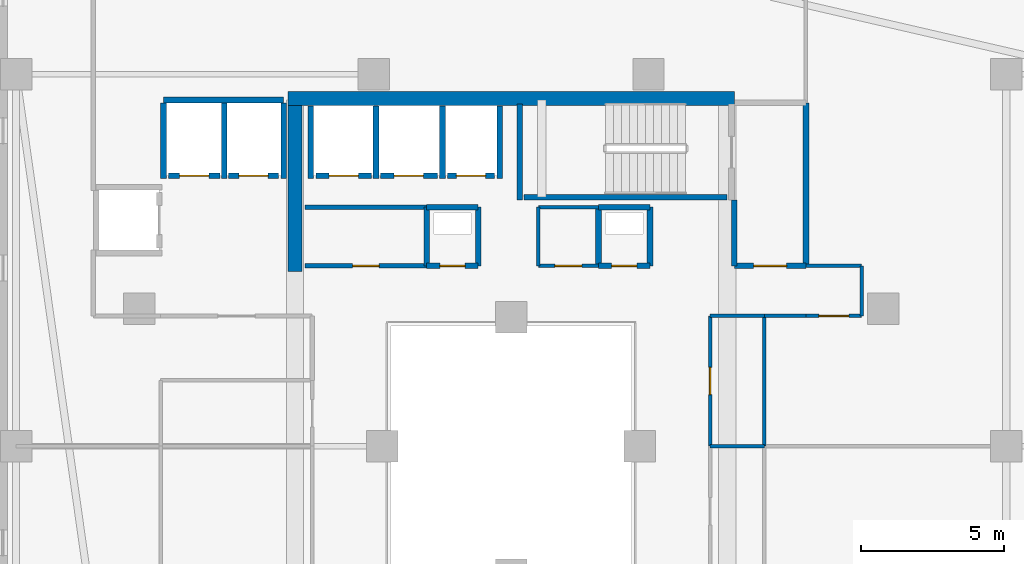
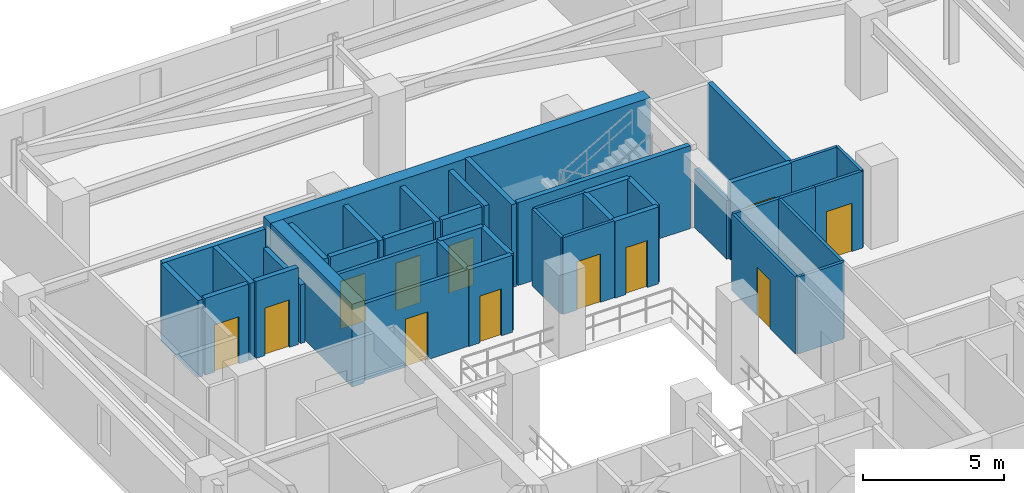
# One storey, part 21 of 33: 41 walls, 12 doors, 12 openings.
"""IFC4 building model written with IfcOpenShell, lengths in metres."""

from ifc_helpers import new_model, si_unit, direction, frame, frame_2d, origin, place, context, subcontext, project, spatial, rectangle, extrude, material, layer, layer_set, type_object, element, fill, save


model = new_model("IFC4")

# Units and contexts
model_context = context("Model", 3, precision=1e-05, world=origin(), true_north=direction((0.0, 1.0)))
body_context = subcontext(model_context, "Body", "Model", "MODEL_VIEW")
ifc_project = project(units=[si_unit("LENGTHUNIT", "METRE"), si_unit("AREAUNIT", "SQUARE_METRE"), si_unit("VOLUMEUNIT", "CUBIC_METRE"), si_unit("PLANEANGLEUNIT", "RADIAN"), si_unit("MASSUNIT", "GRAM", prefix="KILO")], contexts=[model_context])

# Site, building, storey
site_placement = place(None, origin())
site = spatial("IfcSite", under=ifc_project, at=site_placement, CompositionType="ELEMENT")
building_placement = place(site_placement, origin())
building = spatial("IfcBuilding", under=site, at=building_placement, Name="Thornwick Lancets Civic Towers", CompositionType="ELEMENT")
storey_placement = place(building_placement, frame((0.0, 0.0, 192.89990234375)))
storey = spatial("IfcBuildingStorey", under=building, at=storey_placement, Name="L51", CompositionType="ELEMENT", Elevation=192.89990234375)

# Wall, opening, door
ifc_material_1 = material(Name="Concrete blockwork C40/50", Category="masonry")
ifc_layer_1 = layer(ifc_material_1, 0.199951171875, Name="Concrete blockwork C40/50")
ifc_layer_set_1 = layer_set([ifc_layer_1], Name="Concrete blockwork C40/50")
wall_type_1 = type_object("IfcWallType", Name="WALL_COMP_200", PredefinedType="STANDARD", material=ifc_layer_set_1)
wall_1_placement = place(storey_placement, frame((24.919921875, 36.449951171875, 0.0), z_axis=(0.0, 0.0, 1.0), x_axis=(-1.0, 0.0, 0.0)))
wall_1 = element("IfcWall", 1, at=wall_1_placement, inside=storey, type_object=wall_type_1, Name="L51 Hoistway Front Wall FL-A2", PredefinedType="STANDARD", context=body_context, shape_type="SweptSolid", body=[
    extrude(rectangle(XDim=1.639892578125, YDim=0.199951171875, at=frame_2d((0.81982421875, 0.0))), origin(), (0.0, 0.0, 1.0), 3.340087890625),
])
opening_1_placement = place(wall_1_placement, frame((0.31005859375, 0.0, 0.0)))
opening_1 = element("IfcOpeningElement", 2, at=opening_1_placement, cuts=wall_1, Name="Opening LD-FL-A2", PredefinedType="OPENING", context=body_context, shape_type="SweptSolid", body=[
    extrude(rectangle(XDim=1.02001953125, YDim=2.06005859375, at=frame_2d((0.510009765625, 1.030029296875))), frame((0.0, 0.10986328125, 0.0), z_axis=(0.0, -1.0, 0.0), x_axis=(1.0, 0.0, 0.0)), (0.0, 0.0, 1.0), 0.219970703125),
])
ifc_material_2 = material(Name="Brushed bronze stainless steel", Category="steel")
door_type_1 = type_object("IfcDoorType", Name="DOOR_LIFT_SLIDE", OperationType="SLIDING_TO_LEFT", PredefinedType="DOOR", material=ifc_material_2)
door_1_placement = place(opening_1_placement, origin())
door_1 = element("IfcDoor", 3, at=door_1_placement, inside=storey, type_object=door_type_1, Name="L51 Sliding Lift Landing Door LD-FL-A2", OperationType="SLIDING_TO_LEFT", OverallHeight=2.06005859375, OverallWidth=1.02001953125, PredefinedType="DOOR", context=body_context, shape_type="SweptSolid", body=[
    extrude(rectangle(XDim=1.02001953125, YDim=2.06005859375, at=frame_2d((0.510009765625, 1.030029296875))), frame((0.0, 0.02490234375, 0.0), z_axis=(0.0, -1.0, 0.0), x_axis=(1.0, 0.0, 0.0)), (0.0, 0.0, 1.0), 0.050048828125),
])
fill(opening_1, door_1)

wall_2_placement = place(storey_placement, frame((22.919921875, 36.449951171875, 0.0), z_axis=(0.0, 0.0, 1.0), x_axis=(-1.0, 0.0, 0.0)))
wall_2 = element("IfcWall", 4, at=wall_2_placement, inside=storey, type_object=wall_type_1, Name="L51 Hoistway Front Wall PL-AH2", PredefinedType="STANDARD", context=body_context, shape_type="SweptSolid", body=[
    extrude(rectangle(XDim=1.989990234375, YDim=0.199951171875, at=frame_2d((0.9951171875, 0.0))), origin(), (0.0, 0.0, 1.0), 3.340087890625),
])
opening_2_placement = place(wall_2_placement, frame((0.485107421875, 0.0, 0.0)))
opening_2 = element("IfcOpeningElement", 5, at=opening_2_placement, cuts=wall_2, Name="Opening LD-PL-AH2", PredefinedType="OPENING", context=body_context, shape_type="SweptSolid", body=[
    extrude(rectangle(XDim=1.02001953125, YDim=2.06005859375, at=frame_2d((0.510009765625, 1.030029296875))), frame((0.0, 0.10986328125, 0.0), z_axis=(0.0, -1.0, 0.0), x_axis=(1.0, 0.0, 0.0)), (0.0, 0.0, 1.0), 0.219970703125),
])
door_2_placement = place(opening_2_placement, origin())
door_2 = element("IfcDoor", 6, at=door_2_placement, inside=storey, type_object=door_type_1, Name="L51 Sliding Lift Landing Door LD-PL-AH2", OperationType="SLIDING_TO_LEFT", OverallHeight=2.06005859375, OverallWidth=1.02001953125, PredefinedType="DOOR", context=body_context, shape_type="SweptSolid", body=[
    extrude(rectangle(XDim=1.02001953125, YDim=2.06005859375, at=frame_2d((0.510009765625, 1.030029296875))), frame((0.0, 0.02490234375, 0.0), z_axis=(0.0, -1.0, 0.0), x_axis=(1.0, 0.0, 0.0)), (0.0, 0.0, 1.0), 0.050048828125),
])
fill(opening_2, door_2)

wall_3_placement = place(storey_placement, frame((20.6201171875, 36.449951171875, 0.0), z_axis=(0.0, 0.0, 1.0), x_axis=(-1.0, 0.0, 0.0)))
wall_3 = element("IfcWall", 7, at=wall_3_placement, inside=storey, type_object=wall_type_1, Name="L51 Hoistway Front Wall PL-AH3", PredefinedType="STANDARD", context=body_context, shape_type="SweptSolid", body=[
    extrude(rectangle(XDim=1.940185546875, YDim=0.199951171875, at=frame_2d((0.97021484375, 0.0))), origin(), (0.0, 0.0, 1.0), 3.340087890625),
])
opening_3_placement = place(wall_3_placement, frame((0.4599609375, 0.0, 0.0)))
opening_3 = element("IfcOpeningElement", 8, at=opening_3_placement, cuts=wall_3, Name="Opening LD-PL-AH3", PredefinedType="OPENING", context=body_context, shape_type="SweptSolid", body=[
    extrude(rectangle(XDim=1.02001953125, YDim=2.06005859375, at=frame_2d((0.510009765625, 1.030029296875))), frame((0.0, 0.10986328125, 0.0), z_axis=(0.0, -1.0, 0.0), x_axis=(1.0, 0.0, 0.0)), (0.0, 0.0, 1.0), 0.219970703125),
])
door_3_placement = place(opening_3_placement, origin())
door_3 = element("IfcDoor", 9, at=door_3_placement, inside=storey, type_object=door_type_1, Name="L51 Sliding Lift Landing Door LD-PL-AH3", OperationType="SLIDING_TO_LEFT", OverallHeight=2.06005859375, OverallWidth=1.02001953125, PredefinedType="DOOR", context=body_context, shape_type="SweptSolid", body=[
    extrude(rectangle(XDim=1.02001953125, YDim=2.06005859375, at=frame_2d((0.510009765625, 1.030029296875))), frame((0.0, 0.02490234375, 0.0), z_axis=(0.0, -1.0, 0.0), x_axis=(1.0, 0.0, 0.0)), (0.0, 0.0, 1.0), 0.050048828125),
])
fill(opening_3, door_3)

wall_4_placement = place(storey_placement, frame((17.3701171875, 36.449951171875, 0.0), z_axis=(0.0, 0.0, 1.0), x_axis=(-1.0, 0.0, 0.0)))
wall_4 = element("IfcWall", 10, at=wall_4_placement, inside=storey, type_object=wall_type_1, Name="L51 Hoistway Front Wall PL-AM1", PredefinedType="STANDARD", context=body_context, shape_type="SweptSolid", body=[
    extrude(rectangle(XDim=1.740234375, YDim=0.199951171875, at=frame_2d((0.8701171875, 0.0))), origin(), (0.0, 0.0, 1.0), 3.340087890625),
])
opening_4_placement = place(wall_4_placement, frame((0.360107421875, 0.0, 0.0)))
opening_4 = element("IfcOpeningElement", 11, at=opening_4_placement, cuts=wall_4, Name="Opening LD-PL-AM1", PredefinedType="OPENING", context=body_context, shape_type="SweptSolid", body=[
    extrude(rectangle(XDim=1.02001953125, YDim=2.06005859375, at=frame_2d((0.510009765625, 1.030029296875))), frame((0.0, 0.10986328125, 0.0), z_axis=(0.0, -1.0, 0.0), x_axis=(1.0, 0.0, 0.0)), (0.0, 0.0, 1.0), 0.219970703125),
])
door_4_placement = place(opening_4_placement, origin())
door_4 = element("IfcDoor", 12, at=door_4_placement, inside=storey, type_object=door_type_1, Name="L51 Sliding Lift Landing Door LD-PL-AM1", OperationType="SLIDING_TO_LEFT", OverallHeight=2.06005859375, OverallWidth=1.02001953125, PredefinedType="DOOR", context=body_context, shape_type="SweptSolid", body=[
    extrude(rectangle(XDim=1.02001953125, YDim=2.06005859375, at=frame_2d((0.510009765625, 1.030029296875))), frame((0.0, 0.02490234375, 0.0), z_axis=(0.0, -1.0, 0.0), x_axis=(1.0, 0.0, 0.0)), (0.0, 0.0, 1.0), 0.050048828125),
])
fill(opening_4, door_4)

wall_5_placement = place(storey_placement, frame((15.320068359375, 36.449951171875, 0.0), z_axis=(0.0, 0.0, 1.0), x_axis=(-1.0, 0.0, 0.0)))
wall_5 = element("IfcWall", 13, at=wall_5_placement, inside=storey, type_object=wall_type_1, Name="L51 Hoistway Front Wall PL-AM2", PredefinedType="STANDARD", context=body_context, shape_type="SweptSolid", body=[
    extrude(rectangle(XDim=1.7900390625, YDim=0.199951171875, at=frame_2d((0.89501953125, 0.0))), origin(), (0.0, 0.0, 1.0), 3.340087890625),
])
opening_5_placement = place(wall_5_placement, frame((0.385009765625, 0.0, 0.0)))
opening_5 = element("IfcOpeningElement", 14, at=opening_5_placement, cuts=wall_5, Name="Opening LD-PL-AM2", PredefinedType="OPENING", context=body_context, shape_type="SweptSolid", body=[
    extrude(rectangle(XDim=1.02001953125, YDim=2.06005859375, at=frame_2d((0.510009765625, 1.030029296875))), frame((0.0, 0.10986328125, 0.0), z_axis=(0.0, -1.0, 0.0), x_axis=(1.0, 0.0, 0.0)), (0.0, 0.0, 1.0), 0.219970703125),
])
door_5_placement = place(opening_5_placement, origin())
door_5 = element("IfcDoor", 15, at=door_5_placement, inside=storey, type_object=door_type_1, Name="L51 Sliding Lift Landing Door LD-PL-AM2", OperationType="SLIDING_TO_LEFT", OverallHeight=2.06005859375, OverallWidth=1.02001953125, PredefinedType="DOOR", context=body_context, shape_type="SweptSolid", body=[
    extrude(rectangle(XDim=1.02001953125, YDim=2.06005859375, at=frame_2d((0.510009765625, 1.030029296875))), frame((0.0, 0.02490234375, 0.0), z_axis=(0.0, -1.0, 0.0), x_axis=(1.0, 0.0, 0.0)), (0.0, 0.0, 1.0), 0.050048828125),
])
fill(opening_5, door_5)

# Walls
for number, where, z_axis, x_axis, name in (
    (16, (25.10009765625, 36.35205078125, 0.0), (0.0, 0.0, 1.0), (0.0, 1.0, 0.0), "L51 Hoistway Shaft Wall FL-A2 E"),
    (17, (23.10009765625, 36.35205078125, 0.0), (0.0, 0.0, 1.0), (0.0, 1.0, 0.0), "L51 Hoistway Shaft Wall FL-A2 W"),
    (18, (20.77490234375, 36.35205078125, 0.0), (0.0, 0.0, 1.0), (0.0, 1.0, 0.0), "L51 Hoistway Shaft Wall PL-AH2 W"),
    (19, (18.5, 36.35205078125, 0.0), (0.0, 0.0, 1.0), (0.0, 1.0, 0.0), "L51 Hoistway Shaft Wall PL-AH3 W"),
):
    element("IfcWall", number, at=place(storey_placement, frame(where, z_axis=z_axis, x_axis=x_axis)), inside=storey, type_object=wall_type_1, Name=name, PredefinedType="STANDARD", context=body_context, shape_type="SweptSolid", body=[
        extrude(rectangle(XDim=2.535888671875, YDim=0.199951171875, at=frame_2d((1.26806640625, 0.0))), origin(), (0.0, 0.0, 1.0), 3.340087890625),
    ])
wall_6_placement = place(storey_placement, frame((13.35205078125, 39.10009765625, 0.0), z_axis=(0.0, 0.0, 1.0), x_axis=(1.0, 0.0, 0.0)))
element("IfcWall", 20, at=wall_6_placement, inside=storey, type_object=wall_type_1, Name="L51 Hoistway Shaft Wall PL-AM1 N", PredefinedType="STANDARD", context=body_context, shape_type="SweptSolid", body=[
    extrude(rectangle(XDim=4.196044921875, YDim=0.199951171875, at=frame_2d((2.09814453125, 0.0))), origin(), (0.0, 0.0, 1.0), 3.340087890625),
])
wall_7_placement = place(storey_placement, frame((17.550048828125, 36.35205078125, 0.0), z_axis=(0.0, 0.0, 1.0), x_axis=(0.0, 1.0, 0.0)))
element("IfcWall", 21, at=wall_7_placement, inside=storey, type_object=wall_type_1, Name="L51 Hoistway Shaft Wall PL-AM1 E", PredefinedType="STANDARD", context=body_context, shape_type="SweptSolid", body=[
    extrude(rectangle(XDim=2.635986328125, YDim=0.199951171875, at=frame_2d((1.31787109375, 0.0))), origin(), (0.0, 0.0, 1.0), 2.545166015625),
])
for number, where, z_axis, x_axis, name in (
    (22, (15.47509765625, 36.35205078125, 0.0), (0.0, 0.0, 1.0), (0.0, 1.0, 0.0), "L51 Hoistway Shaft Wall PL-AM1 W"),
    (23, (13.35009765625, 36.35205078125, 0.0), (0.0, 0.0, 1.0), (0.0, 1.0, 0.0), "L51 Hoistway Shaft Wall PL-AM2 W"),
):
    element("IfcWall", number, at=place(storey_placement, frame(where, z_axis=z_axis, x_axis=x_axis)), inside=storey, type_object=wall_type_1, Name=name, PredefinedType="STANDARD", context=body_context, shape_type="SweptSolid", body=[
        extrude(rectangle(XDim=2.635986328125, YDim=0.199951171875, at=frame_2d((1.31787109375, 0.0))), origin(), (0.0, 0.0, 1.0), 3.340087890625),
    ])

# Wall, opening, door
wall_8_placement = place(storey_placement, frame((33.300048828125, 33.300048828125, 0.0), z_axis=(0.0, 0.0, 1.0), x_axis=(1.0, 0.0, 0.0)))
wall_8 = element("IfcWall", 24, at=wall_8_placement, inside=storey, type_object=wall_type_1, Name="L51 Partition L51-A-FFLOB2 E1", PredefinedType="STANDARD", context=body_context, shape_type="SweptSolid", body=[
    extrude(rectangle(XDim=2.5, YDim=0.199951171875, at=frame_2d((1.25, 0.0))), origin(), (0.0, 0.0, 1.0), 3.340087890625),
])
opening_6_placement = place(wall_8_placement, frame((0.675048828125, 0.0, 0.0)))
opening_6 = element("IfcOpeningElement", 25, at=opening_6_placement, cuts=wall_8, Name="Opening D-L51-2252", PredefinedType="OPENING", context=body_context, shape_type="SweptSolid", body=[
    extrude(rectangle(XDim=1.14990234375, YDim=2.10009765625, at=frame_2d((0.574951171875, 1.050048828125))), frame((0.0, 0.10986328125, 0.0), z_axis=(0.0, -1.0, 0.0), x_axis=(1.0, 0.0, 0.0)), (0.0, 0.0, 1.0), 0.219970703125),
])
ifc_material_3 = material(Name="Glazed fire-resisting steel", Category="steel")
door_type_2 = type_object("IfcDoorType", Name="DOOR_LOBBY_FD60", OperationType="NOTDEFINED", PredefinedType="DOOR", material=ifc_material_3)
door_6_placement = place(opening_6_placement, origin())
door_6 = element("IfcDoor", 26, at=door_6_placement, inside=storey, type_object=door_type_2, Name="L51 North Firefighting Lobby 2 Door", OperationType="SINGLE_SWING_LEFT", OverallHeight=2.10009765625, OverallWidth=1.14990234375, PredefinedType="DOOR", context=body_context, shape_type="SweptSolid", body=[
    extrude(rectangle(XDim=1.14990234375, YDim=2.10009765625, at=frame_2d((0.574951171875, 1.050048828125))), frame((0.0, 0.02490234375, 0.0), z_axis=(0.0, -1.0, 0.0), x_axis=(1.0, 0.0, 0.0)), (0.0, 0.0, 1.0), 0.050048828125),
])
fill(opening_6, door_6)

# Walls
wall_9_placement = place(storey_placement, frame((35.800048828125, 33.300048828125, 0.0), z_axis=(0.0, 0.0, 1.0), x_axis=(0.0, 1.0, 0.0)))
element("IfcWall", 27, at=wall_9_placement, inside=storey, type_object=wall_type_1, Name="L51 Partition L51-A-FFLOB2 E2", PredefinedType="STANDARD", context=body_context, shape_type="SweptSolid", body=[
    extrude(rectangle(XDim=5.699951171875, YDim=0.199951171875, at=frame_2d((2.85009765625, 0.0))), origin(), (0.0, 0.0, 1.0), 3.340087890625),
])
wall_10_placement = place(storey_placement, frame((33.300048828125, 35.60009765625, 0.0), z_axis=(0.0, 0.0, 1.0), x_axis=(0.0, -1.0, 0.0)))
element("IfcWall", 28, at=wall_10_placement, inside=storey, type_object=wall_type_1, Name="L51 Partition L51-A-FFLOB2 E4", PredefinedType="STANDARD", context=body_context, shape_type="SweptSolid", body=[
    extrude(rectangle(XDim=2.300048828125, YDim=0.199951171875, at=frame_2d((1.14990234375, 0.0))), origin(), (0.0, 0.0, 1.0), 2.545166015625),
])

# Wall, opening, door
wall_11_placement = place(storey_placement, frame((22.550048828125, 33.300048828125, 0.0), z_axis=(0.0, 0.0, 1.0), x_axis=(1.0, 0.0, 0.0)))
wall_11 = element("IfcWall", 29, at=wall_11_placement, inside=storey, type_object=wall_type_1, Name="L51 Partition L51-A-DUCT2 E1", PredefinedType="STANDARD", context=body_context, shape_type="SweptSolid", body=[
    extrude(rectangle(XDim=1.800048828125, YDim=0.199951171875, at=frame_2d((0.89990234375, 0.0))), origin(), (0.0, 0.0, 1.0), 3.340087890625),
])
opening_7_placement = place(wall_11_placement, frame((0.4599609375, 0.0, 0.0)))
opening_7 = element("IfcOpeningElement", 30, at=opening_7_placement, cuts=wall_11, Name="Opening D-L51-2255", PredefinedType="OPENING", context=body_context, shape_type="SweptSolid", body=[
    extrude(rectangle(XDim=0.8798828125, YDim=2.0400390625, at=frame_2d((0.43994140625, 1.02001953125))), frame((0.0, 0.10986328125, 0.0), z_axis=(0.0, -1.0, 0.0), x_axis=(1.0, 0.0, 0.0)), (0.0, 0.0, 1.0), 0.219970703125),
])
ifc_material_4 = material(Name="Steel riser access doorset", Category="steel")
door_type_3 = type_object("IfcDoorType", Name="DOOR_RISER_850", OperationType="NOTDEFINED", PredefinedType="DOOR", material=ifc_material_4)
door_7_placement = place(opening_7_placement, origin())
door_7 = element("IfcDoor", 31, at=door_7_placement, inside=storey, type_object=door_type_3, Name="L51 North Service Duct 2 Door", OperationType="SINGLE_SWING_RIGHT", OverallHeight=2.0400390625, OverallWidth=0.8798828125, PredefinedType="DOOR", context=body_context, shape_type="SweptSolid", body=[
    extrude(rectangle(XDim=0.8798828125, YDim=2.0400390625, at=frame_2d((0.43994140625, 1.02001953125))), frame((0.0, 0.02490234375, 0.0), z_axis=(0.0, -1.0, 0.0), x_axis=(1.0, 0.0, 0.0)), (0.0, 0.0, 1.0), 0.050048828125),
])
fill(opening_7, door_7)

# Walls
wall_12_placement = place(storey_placement, frame((24.35009765625, 33.300048828125, 0.0), z_axis=(0.0, 0.0, 1.0), x_axis=(0.0, 1.0, 0.0)))
element("IfcWall", 32, at=wall_12_placement, inside=storey, type_object=wall_type_1, Name="L51 Partition L51-A-DUCT2 E2", PredefinedType="STANDARD", context=body_context, shape_type="SweptSolid", body=[
    extrude(rectangle(XDim=2.050048828125, YDim=0.199951171875, at=frame_2d((1.02490234375, 0.0))), origin(), (0.0, 0.0, 1.0), 3.340087890625),
])
wall_13_placement = place(storey_placement, frame((24.35009765625, 35.35009765625, 0.0), z_axis=(0.0, 0.0, 1.0), x_axis=(-1.0, 0.0, 0.0)))
element("IfcWall", 33, at=wall_13_placement, inside=storey, type_object=wall_type_1, Name="L51 Partition L51-A-DUCT2 E3", PredefinedType="STANDARD", context=body_context, shape_type="SweptSolid", body=[
    extrude(rectangle(XDim=1.800048828125, YDim=0.199951171875, at=frame_2d((0.89990234375, 0.0))), origin(), (0.0, 0.0, 1.0), 3.340087890625),
])
wall_14_placement = place(storey_placement, frame((22.550048828125, 35.35009765625, 0.0), z_axis=(0.0, 0.0, 1.0), x_axis=(0.0, -1.0, 0.0)))
element("IfcWall", 34, at=wall_14_placement, inside=storey, type_object=wall_type_1, Name="L51 Partition L51-A-DUCT2 E4", PredefinedType="STANDARD", context=body_context, shape_type="SweptSolid", body=[
    extrude(rectangle(XDim=2.050048828125, YDim=0.199951171875, at=frame_2d((1.02490234375, 0.0))), origin(), (0.0, 0.0, 1.0), 3.340087890625),
])

# Wall, opening, door
wall_15_placement = place(storey_placement, frame((28.550048828125, 33.300048828125, 0.0), z_axis=(0.0, 0.0, 1.0), x_axis=(1.0, 0.0, 0.0)))
wall_15 = element("IfcWall", 35, at=wall_15_placement, inside=storey, type_object=wall_type_1, Name="L51 Partition L51-A-RISER2 E1", PredefinedType="STANDARD", context=body_context, shape_type="SweptSolid", body=[
    extrude(rectangle(XDim=1.800048828125, YDim=0.199951171875, at=frame_2d((0.89990234375, 0.0))), origin(), (0.0, 0.0, 1.0), 3.340087890625),
])
opening_8_placement = place(wall_15_placement, frame((0.4599609375, 0.0, 0.0)))
opening_8 = element("IfcOpeningElement", 36, at=opening_8_placement, cuts=wall_15, Name="Opening D-L51-2256", PredefinedType="OPENING", context=body_context, shape_type="SweptSolid", body=[
    extrude(rectangle(XDim=0.8798828125, YDim=2.0400390625, at=frame_2d((0.43994140625, 1.02001953125))), frame((0.0, 0.10986328125, 0.0), z_axis=(0.0, -1.0, 0.0), x_axis=(1.0, 0.0, 0.0)), (0.0, 0.0, 1.0), 0.219970703125),
])
door_8_placement = place(opening_8_placement, origin())
door_8 = element("IfcDoor", 37, at=door_8_placement, inside=storey, type_object=door_type_3, Name="L51 North Service Riser 2 Door", OperationType="SINGLE_SWING_LEFT", OverallHeight=2.0400390625, OverallWidth=0.8798828125, PredefinedType="DOOR", context=body_context, shape_type="SweptSolid", body=[
    extrude(rectangle(XDim=0.8798828125, YDim=2.0400390625, at=frame_2d((0.43994140625, 1.02001953125))), frame((0.0, 0.02490234375, 0.0), z_axis=(0.0, -1.0, 0.0), x_axis=(1.0, 0.0, 0.0)), (0.0, 0.0, 1.0), 0.050048828125),
])
fill(opening_8, door_8)

# Walls
wall_16_placement = place(storey_placement, frame((30.35009765625, 33.300048828125, 0.0), z_axis=(0.0, 0.0, 1.0), x_axis=(0.0, 1.0, 0.0)))
element("IfcWall", 38, at=wall_16_placement, inside=storey, type_object=wall_type_1, Name="L51 Partition L51-A-RISER2 E2", PredefinedType="STANDARD", context=body_context, shape_type="SweptSolid", body=[
    extrude(rectangle(XDim=2.050048828125, YDim=0.199951171875, at=frame_2d((1.02490234375, 0.0))), origin(), (0.0, 0.0, 1.0), 3.340087890625),
])
wall_17_placement = place(storey_placement, frame((30.35009765625, 35.35009765625, 0.0), z_axis=(0.0, 0.0, 1.0), x_axis=(-1.0, 0.0, 0.0)))
element("IfcWall", 39, at=wall_17_placement, inside=storey, type_object=wall_type_1, Name="L51 Partition L51-A-RISER2 E3", PredefinedType="STANDARD", context=body_context, shape_type="SweptSolid", body=[
    extrude(rectangle(XDim=1.800048828125, YDim=0.199951171875, at=frame_2d((0.89990234375, 0.0))), origin(), (0.0, 0.0, 1.0), 3.340087890625),
])
wall_18_placement = place(storey_placement, frame((28.550048828125, 35.35009765625, 0.0), z_axis=(0.0, 0.0, 1.0), x_axis=(0.0, -1.0, 0.0)))
element("IfcWall", 40, at=wall_18_placement, inside=storey, type_object=wall_type_1, Name="L51 Partition L51-A-RISER2 E4", PredefinedType="STANDARD", context=body_context, shape_type="SweptSolid", body=[
    extrude(rectangle(XDim=2.050048828125, YDim=0.199951171875, at=frame_2d((1.02490234375, 0.0))), origin(), (0.0, 0.0, 1.0), 3.340087890625),
])
ifc_material_5 = material(Name="Concrete C50/60", Category="concrete")
ifc_layer_2 = layer(ifc_material_5, 0.5, Name="Concrete C50/60")
ifc_layer_set_2 = layer_set([ifc_layer_2], Name="Concrete C50/60")
wall_type_2 = type_object("IfcWallType", Name="WALL_CORE_500", PredefinedType="SHEAR", material=ifc_layer_set_2)
wall_19_placement = place(storey_placement, frame((17.699951171875, 39.14990234375, 0.0), z_axis=(0.0, 0.0, 1.0), x_axis=(1.0, 0.0, 0.0)))
element("IfcWall", 41, at=wall_19_placement, inside=storey, type_object=wall_type_2, Name="L51 Split Core A2 Shear Wall N", PredefinedType="SHEAR", context=body_context, shape_type="SweptSolid", body=[
    extrude(rectangle(XDim=15.60009765625, YDim=0.5, at=frame_2d((7.800048828125, 0.0))), origin(), (0.0, 0.0, 1.0), 3.60009765625),
])
wall_20_placement = place(storey_placement, frame((17.949951171875, 33.10009765625, 0.0), z_axis=(0.0, 0.0, 1.0), x_axis=(0.0, 1.0, 0.0)))
element("IfcWall", 42, at=wall_20_placement, inside=storey, type_object=wall_type_2, Name="L51 Split Core A2 Shear Wall W", PredefinedType="SHEAR", context=body_context, shape_type="SweptSolid", body=[
    extrude(rectangle(XDim=5.7998046875, YDim=0.5, at=frame_2d((2.89990234375, 0.0))), origin(), (0.0, 0.0, 1.0), 3.60009765625),
])
ifc_material_6 = material(Name="Acoustic gypsum board partition")
ifc_layer_3 = layer(ifc_material_6, 0.1201171875, Name="Acoustic gypsum board partition")
ifc_layer_set_3 = layer_set([ifc_layer_3], Name="Acoustic gypsum board partition")
wall_type_3 = type_object("IfcWallType", Name="WALL_PART_120", PredefinedType="PARTITIONING", material=ifc_layer_set_3)
wall_21_placement = place(storey_placement, frame((26.449951171875, 33.300048828125, 0.0), z_axis=(0.0, 0.0, 1.0), x_axis=(0.0, 1.0, 0.0)))
element("IfcWall", 43, at=wall_21_placement, inside=storey, type_object=wall_type_3, Name="L51 Partition L51-A-ITR E1", PredefinedType="PARTITIONING", context=body_context, shape_type="SweptSolid", body=[
    extrude(rectangle(XDim=2.050048828125, YDim=0.1201171875, at=frame_2d((1.02490234375, 0.0))), origin(), (0.0, 0.0, 1.0), 3.340087890625),
])
wall_22_placement = place(storey_placement, frame((26.449951171875, 35.35009765625, 0.0), z_axis=(0.0, 0.0, 1.0), x_axis=(1.0, 0.0, 0.0)))
element("IfcWall", 44, at=wall_22_placement, inside=storey, type_object=wall_type_3, Name="L51 Partition L51-A-ITR E2", PredefinedType="PARTITIONING", context=body_context, shape_type="SweptSolid", body=[
    extrude(rectangle(XDim=2.10009765625, YDim=0.1201171875, at=frame_2d((1.050048828125, 0.0))), origin(), (0.0, 0.0, 1.0), 3.340087890625),
])

# Wall, opening, door
wall_23_placement = place(storey_placement, frame((28.550048828125, 33.300048828125, 0.0), z_axis=(0.0, 0.0, 1.0), x_axis=(-1.0, 0.0, 0.0)))
wall_23 = element("IfcWall", 45, at=wall_23_placement, inside=storey, type_object=wall_type_3, Name="L51 Partition L51-A-ITR E4", PredefinedType="PARTITIONING", context=body_context, shape_type="SweptSolid", body=[
    extrude(rectangle(XDim=2.10009765625, YDim=0.1201171875, at=frame_2d((1.050048828125, 0.0))), origin(), (0.0, 0.0, 1.0), 3.340087890625),
])
opening_9_placement = place(wall_23_placement, frame((0.574951171875, 0.0, 0.0)))
opening_9 = element("IfcOpeningElement", 46, at=opening_9_placement, cuts=wall_23, Name="Opening D-L51-2262", PredefinedType="OPENING", context=body_context, shape_type="SweptSolid", body=[
    extrude(rectangle(XDim=0.949951171875, YDim=2.10009765625, at=frame_2d((0.47509765625, 1.050048828125))), frame((0.0, 0.070068359375, 0.0), z_axis=(0.0, -1.0, 0.0), x_axis=(1.0, 0.0, 0.0)), (0.0, 0.0, 1.0), 0.14013671875),
])
ifc_material_7 = material(Name="European oak acoustic doorset")
door_type_4 = type_object("IfcDoorType", Name="DOOR_OFFICE_950", OperationType="NOTDEFINED", PredefinedType="DOOR", material=ifc_material_7)
door_9_placement = place(opening_9_placement, origin())
door_9 = element("IfcDoor", 47, at=door_9_placement, inside=storey, type_object=door_type_4, Name="L51 Tower A Comms Patch Room Door", OperationType="SINGLE_SWING_LEFT", OverallHeight=2.10009765625, OverallWidth=0.949951171875, PredefinedType="DOOR", context=body_context, shape_type="SweptSolid", body=[
    extrude(rectangle(XDim=0.949951171875, YDim=2.10009765625, at=frame_2d((0.47509765625, 1.050048828125))), frame((0.0, 0.02490234375, 0.0), z_axis=(0.0, -1.0, 0.0), x_axis=(1.0, 0.0, 0.0)), (0.0, 0.0, 1.0), 0.050048828125),
])
fill(opening_9, door_9)

# Wall
wall_24_placement = place(storey_placement, frame((32.449951171875, 27.0, 0.0), z_axis=(0.0, 0.0, 1.0), x_axis=(1.0, 0.0, 0.0)))
element("IfcWall", 48, at=wall_24_placement, inside=storey, type_object=wall_type_3, Name="L51 Partition L51-A-E1 E2", PredefinedType="PARTITIONING", context=body_context, shape_type="SweptSolid", body=[
    extrude(rectangle(XDim=1.900146484375, YDim=0.1201171875, at=frame_2d((0.9501953125, 0.0))), origin(), (0.0, 0.0, 1.0), 3.340087890625),
])

# Wall, opening, door
wall_25_placement = place(storey_placement, frame((32.449951171875, 27.0, 0.0), z_axis=(0.0, 0.0, 1.0), x_axis=(0.0, 1.0, 0.0)))
wall_25 = element("IfcWall", 49, at=wall_25_placement, inside=storey, type_object=wall_type_3, Name="L51 Partition L51-A-E3 E1", PredefinedType="PARTITIONING", context=body_context, shape_type="SweptSolid", body=[
    extrude(rectangle(XDim=4.550048828125, YDim=0.1201171875, at=frame_2d((2.27490234375, 0.0))), origin(), (0.0, 0.0, 1.0), 3.340087890625),
])
opening_10_placement = place(wall_25_placement, frame((1.800048828125, 0.0, 0.0)))
opening_10 = element("IfcOpeningElement", 50, at=opening_10_placement, cuts=wall_25, Name="Opening D-L51-2283", PredefinedType="OPENING", context=body_context, shape_type="SweptSolid", body=[
    extrude(rectangle(XDim=0.949951171875, YDim=2.10009765625, at=frame_2d((0.47509765625, 1.050048828125))), frame((0.0, 0.070068359375, 0.0), z_axis=(0.0, -1.0, 0.0), x_axis=(1.0, 0.0, 0.0)), (0.0, 0.0, 1.0), 0.14013671875),
])
door_10_placement = place(opening_10_placement, origin())
door_10 = element("IfcDoor", 51, at=door_10_placement, inside=storey, type_object=door_type_4, Name="L51 Tower A Civic Seminar Room Door", OperationType="SINGLE_SWING_RIGHT", OverallHeight=2.10009765625, OverallWidth=0.949951171875, PredefinedType="DOOR", context=body_context, shape_type="SweptSolid", body=[
    extrude(rectangle(XDim=0.949951171875, YDim=2.10009765625, at=frame_2d((0.47509765625, 1.050048828125))), frame((0.0, 0.02490234375, 0.0), z_axis=(0.0, -1.0, 0.0), x_axis=(1.0, 0.0, 0.0)), (0.0, 0.0, 1.0), 0.050048828125),
])
fill(opening_10, door_10)

# Walls
wall_26_placement = place(storey_placement, frame((32.449951171875, 31.550048828125, 0.0), z_axis=(0.0, 0.0, 1.0), x_axis=(1.0, 0.0, 0.0)))
element("IfcWall", 52, at=wall_26_placement, inside=storey, type_object=wall_type_3, Name="L51 Partition L51-A-E3 E2", PredefinedType="PARTITIONING", context=body_context, shape_type="SweptSolid", body=[
    extrude(rectangle(XDim=1.900146484375, YDim=0.1201171875, at=frame_2d((0.9501953125, 0.0))), origin(), (0.0, 0.0, 1.0), 3.340087890625),
])
wall_27_placement = place(storey_placement, frame((34.35009765625, 31.550048828125, 0.0), z_axis=(0.0, 0.0, 1.0), x_axis=(0.0, -1.0, 0.0)))
element("IfcWall", 53, at=wall_27_placement, inside=storey, type_object=wall_type_3, Name="L51 Partition L51-A-E3 E3", PredefinedType="PARTITIONING", context=body_context, shape_type="SweptSolid", body=[
    extrude(rectangle(XDim=4.550048828125, YDim=0.1201171875, at=frame_2d((2.27490234375, 0.0))), origin(), (0.0, 0.0, 1.0), 3.340087890625),
])
wall_28_placement = place(storey_placement, frame((34.35009765625, 31.550048828125, 0.0), z_axis=(0.0, 0.0, 1.0), x_axis=(1.0, 0.0, 0.0)))
element("IfcWall", 54, at=wall_28_placement, inside=storey, type_object=wall_type_3, Name="L51 Partition L51-A-E4 E1", PredefinedType="PARTITIONING", context=body_context, shape_type="SweptSolid", body=[
    extrude(rectangle(XDim=1.449951171875, YDim=0.1201171875, at=frame_2d((0.72509765625, 0.0))), origin(), (0.0, 0.0, 1.0), 3.340087890625),
])

# Wall, opening, door
wall_29_placement = place(storey_placement, frame((35.800048828125, 31.550048828125, 0.0), z_axis=(0.0, 0.0, 1.0), x_axis=(1.0, 0.0, 0.0)))
wall_29 = element("IfcWall", 55, at=wall_29_placement, inside=storey, type_object=wall_type_3, Name="L51 Partition L51-A-E4 E2", PredefinedType="PARTITIONING", context=body_context, shape_type="SweptSolid", body=[
    extrude(rectangle(XDim=1.949951171875, YDim=0.1201171875, at=frame_2d((0.97509765625, 0.0))), origin(), (0.0, 0.0, 1.0), 3.340087890625),
])
opening_11_placement = place(wall_29_placement, frame((0.449951171875, 0.0, 0.0)))
opening_11 = element("IfcOpeningElement", 56, at=opening_11_placement, cuts=wall_29, Name="Opening D-L51-2284", PredefinedType="OPENING", context=body_context, shape_type="SweptSolid", body=[
    extrude(rectangle(XDim=1.050048828125, YDim=2.10009765625, at=frame_2d((0.52490234375, 1.050048828125))), frame((0.0, 0.070068359375, 0.0), z_axis=(0.0, -1.0, 0.0), x_axis=(1.0, 0.0, 0.0)), (0.0, 0.0, 1.0), 0.14013671875),
])
ifc_material_8 = material(Name="Glazed European oak executive doorset")
door_type_5 = type_object("IfcDoorType", Name="DOOR_OFFICE_1050", OperationType="NOTDEFINED", PredefinedType="DOOR", material=ifc_material_8)
door_11_placement = place(opening_11_placement, origin())
door_11 = element("IfcDoor", 57, at=door_11_placement, inside=storey, type_object=door_type_5, Name="L51 Tower A Counsel Chambers Office E4 Door", OperationType="SINGLE_SWING_LEFT", OverallHeight=2.10009765625, OverallWidth=1.050048828125, PredefinedType="DOOR", context=body_context, shape_type="SweptSolid", body=[
    extrude(rectangle(XDim=1.050048828125, YDim=2.10009765625, at=frame_2d((0.52490234375, 1.050048828125))), frame((0.0, 0.02490234375, 0.0), z_axis=(0.0, -1.0, 0.0), x_axis=(1.0, 0.0, 0.0)), (0.0, 0.0, 1.0), 0.050048828125),
])
fill(opening_11, door_11)

# Walls
wall_30_placement = place(storey_placement, frame((37.75, 31.550048828125, 0.0), z_axis=(0.0, 0.0, 1.0), x_axis=(0.0, 1.0, 0.0)))
element("IfcWall", 58, at=wall_30_placement, inside=storey, type_object=wall_type_3, Name="L51 Partition L51-A-E4 E3", PredefinedType="PARTITIONING", context=body_context, shape_type="SweptSolid", body=[
    extrude(rectangle(XDim=1.75, YDim=0.1201171875, at=frame_2d((0.875, 0.0))), origin(), (0.0, 0.0, 1.0), 3.340087890625),
])
wall_31_placement = place(storey_placement, frame((37.75, 33.300048828125, 0.0), z_axis=(0.0, 0.0, 1.0), x_axis=(-1.0, 0.0, 0.0)))
element("IfcWall", 59, at=wall_31_placement, inside=storey, type_object=wall_type_3, Name="L51 Partition L51-A-E4 E4", PredefinedType="PARTITIONING", context=body_context, shape_type="SweptSolid", body=[
    extrude(rectangle(XDim=1.949951171875, YDim=0.1201171875, at=frame_2d((0.97509765625, 0.0))), origin(), (0.0, 0.0, 1.0), 3.340087890625),
])
ifc_material_9 = material(Name="Twin-stud acoustic gypsum board")
ifc_layer_4 = layer(ifc_material_9, 0.14990234375, Name="Twin-stud acoustic gypsum board")
ifc_layer_set_4 = layer_set([ifc_layer_4], Name="Twin-stud acoustic gypsum board")
wall_type_4 = type_object("IfcWallType", Name="WALL_PART_150", PredefinedType="PARTITIONING", material=ifc_layer_set_4)
wall_32_placement = place(storey_placement, frame((18.300048828125, 35.35009765625, 0.0), z_axis=(0.0, 0.0, 1.0), x_axis=(1.0, 0.0, 0.0)))
element("IfcWall", 60, at=wall_32_placement, inside=storey, type_object=wall_type_4, Name="L51 Partition L51-A-FWC E2", PredefinedType="PARTITIONING", context=body_context, shape_type="SweptSolid", body=[
    extrude(rectangle(XDim=4.25, YDim=0.14990234375, at=frame_2d((2.125, 0.0))), origin(), (0.0, 0.0, 1.0), 3.340087890625),
])

# Wall, opening, door
wall_33_placement = place(storey_placement, frame((22.550048828125, 33.300048828125, 0.0), z_axis=(0.0, 0.0, 1.0), x_axis=(-1.0, 0.0, 0.0)))
wall_33 = element("IfcWall", 61, at=wall_33_placement, inside=storey, type_object=wall_type_4, Name="L51 Partition L51-A-FWC E4", PredefinedType="PARTITIONING", context=body_context, shape_type="SweptSolid", body=[
    extrude(rectangle(XDim=4.25, YDim=0.14990234375, at=frame_2d((2.125, 0.0))), origin(), (0.0, 0.0, 1.0), 3.340087890625),
])
opening_12_placement = place(wall_33_placement, frame((1.6650390625, 0.0, 0.0)))
opening_12 = element("IfcOpeningElement", 62, at=opening_12_placement, cuts=wall_33, Name="Opening D-L51-2261", PredefinedType="OPENING", context=body_context, shape_type="SweptSolid", body=[
    extrude(rectangle(XDim=0.919921875, YDim=2.080078125, at=frame_2d((0.4599609375, 1.0400390625))), frame((0.0, 0.0849609375, 0.0), z_axis=(0.0, -1.0, 0.0), x_axis=(1.0, 0.0, 0.0)), (0.0, 0.0, 1.0), 0.169921875),
])
ifc_material_10 = material(Name="Moisture-resistant oak doorset")
door_type_6 = type_object("IfcDoorType", Name="DOOR_WC_900", OperationType="NOTDEFINED", PredefinedType="DOOR", material=ifc_material_10)
door_12_placement = place(opening_12_placement, origin())
door_12 = element("IfcDoor", 63, at=door_12_placement, inside=storey, type_object=door_type_6, Name="L51 Tower A Female WC Door", OperationType="SINGLE_SWING_RIGHT", OverallHeight=2.080078125, OverallWidth=0.919921875, PredefinedType="DOOR", context=body_context, shape_type="SweptSolid", body=[
    extrude(rectangle(XDim=0.919921875, YDim=2.080078125, at=frame_2d((0.4599609375, 1.0400390625))), frame((0.0, 0.02490234375, 0.0), z_axis=(0.0, -1.0, 0.0), x_axis=(1.0, 0.0, 0.0)), (0.0, 0.0, 1.0), 0.050048828125),
])
fill(opening_12, door_12)

# Walls
ifc_material_11 = material(Name="Concrete C40/50", Category="concrete")
ifc_layer_5 = layer(ifc_material_11, 0.199951171875, Name="Concrete C40/50")
ifc_layer_set_5 = layer_set([ifc_layer_5], Name="Concrete C40/50")
wall_type_5 = type_object("IfcWallType", Name="WALL_SHAFT_200", PredefinedType="SHEAR", material=ifc_layer_set_5)
wall_34_placement = place(storey_placement, frame((25.800048828125, 35.60009765625, 0.0), z_axis=(0.0, 0.0, 1.0), x_axis=(0.0, 1.0, 0.0)))
element("IfcWall", 64, at=wall_34_placement, inside=storey, type_object=wall_type_5, Name="L51 ST-A2 Fire Stair Core Wall FAR", PredefinedType="SHEAR", context=body_context, shape_type="SweptSolid", body=[
    extrude(rectangle(XDim=3.349853515625, YDim=0.199951171875, at=frame_2d((1.6748046875, 0.0))), origin(), (0.0, 0.0, 1.0), 3.60009765625),
])
wall_35_placement = place(storey_placement, frame((25.949951171875, 35.702880859375, 0.0), z_axis=(0.0, 0.0, 1.0), x_axis=(1.0, 0.0, 0.0)))
element("IfcWall", 65, at=wall_35_placement, inside=storey, type_object=wall_type_5, Name="L51 ST-A2 Fire Stair Core Wall RIGHT", PredefinedType="SHEAR", context=body_context, shape_type="SweptSolid", body=[
    extrude(rectangle(XDim=7.10009765625, YDim=0.199951171875, at=frame_2d((3.550048828125, 0.0))), origin(), (0.0, 0.0, 1.0), 3.60009765625),
])

save(model, "model.ifc")
